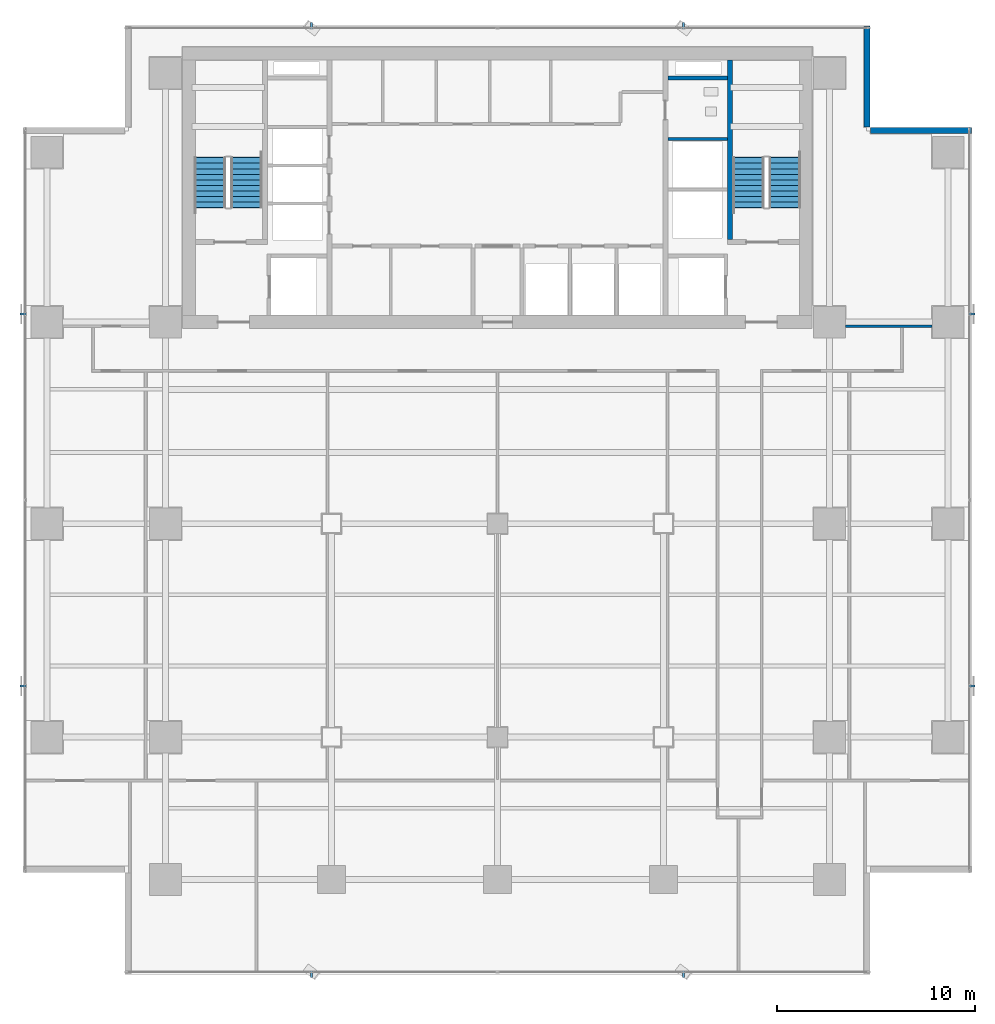
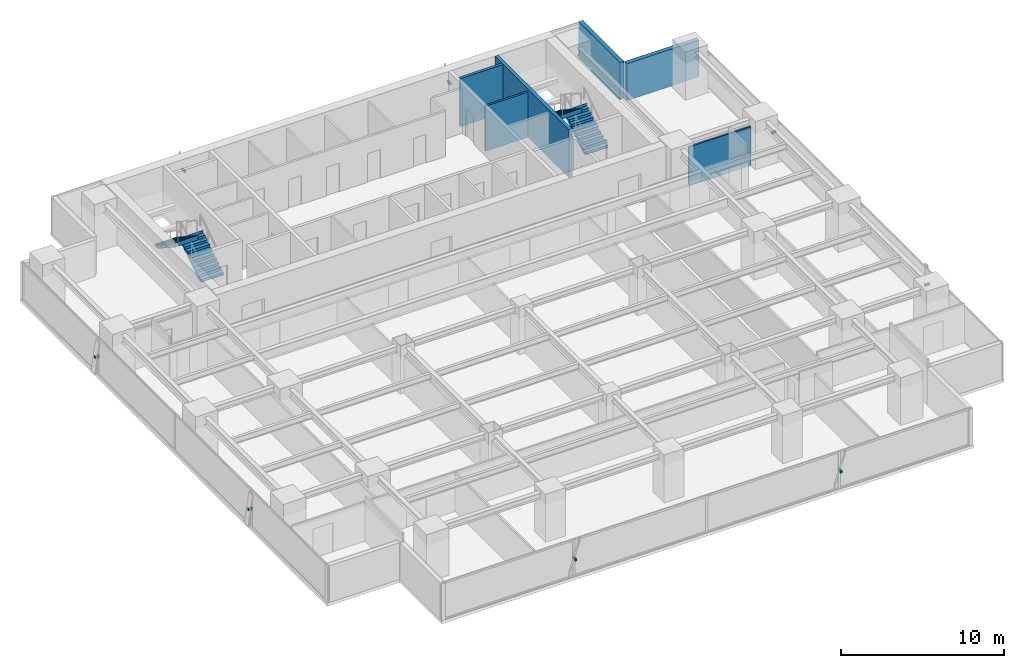
# One storey, part 23 of 28: 8 discrete accessories, 6 walls, 4 stair flights, 2 elements without a shape of their own.
"""IFC4 building model written with IfcOpenShell, lengths in metres."""

from ifc_helpers import new_model, si_unit, direction, frame, frame_2d, origin, origin_2d, place, context, subcontext, project, spatial, polyline, rectangle, outline, extrude, source, transform, mapped, material, layer, layer_set, material_profile, profile_set, type_object, element, aggregate, save


model = new_model("IFC4")

# Units and contexts
model_context = context("Model", 3, precision=1e-05, world=origin(), true_north=direction((0.0, 1.0)))
body_context = subcontext(model_context, "Body", "Model", "MODEL_VIEW")
ifc_project = project(units=[si_unit("LENGTHUNIT", "METRE"), si_unit("AREAUNIT", "SQUARE_METRE"), si_unit("VOLUMEUNIT", "CUBIC_METRE"), si_unit("PLANEANGLEUNIT", "RADIAN"), si_unit("MASSUNIT", "GRAM", prefix="KILO")], contexts=[model_context])

# Site, building, storey
site_placement = place(None, origin())
site = spatial("IfcSite", under=ifc_project, at=site_placement, CompositionType="ELEMENT")
building_placement = place(site_placement, origin())
building = spatial("IfcBuilding", under=site, at=building_placement, Name="Sumidabori Civic Tower", CompositionType="ELEMENT")
storey_placement = place(building_placement, frame((0.0, 0.0, 182.0)))
storey = spatial("IfcBuildingStorey", under=building, at=storey_placement, Name="L47", CompositionType="ELEMENT", Elevation=182.0)

# Walls
ifc_material_1 = material(Name="Concrete C50/60", Category="concrete")
ifc_layer_1 = layer(ifc_material_1, 0.199951171875, Name="Concrete C50/60")
ifc_layer_set_1 = layer_set([ifc_layer_1], Name="Concrete C50/60")
wall_type_1 = type_object("IfcWallType", Name="WL-SHAFT-200", PredefinedType="SHEAR", material=ifc_layer_set_1)
shared_shape_1 = source(origin(), body_context, "Body", "SweptSolid", [
    extrude(rectangle(XDim=3.02001953125, YDim=0.199951171875, at=frame_2d((1.510009765625, 0.0))), origin(), (0.0, 0.0, 1.0), 3.60009765625),
])
wall_1_placement = place(storey_placement, frame((8.625, 22.550048828125, 0.0), z_axis=(0.0, 0.0, 1.0), x_axis=(1.0, 0.0, 0.0)))
element("IfcWall", 1, at=wall_1_placement, inside=storey, type_object=wall_type_1, Name="Core Shear Wall L47 RIS2-S", PredefinedType="SHEAR", context=body_context, shape_type="MappedRepresentation", body=[
    mapped(shared_shape_1, transform((0.0, 0.0, 0.0), x_axis=(1.0, 0.0, 0.0), y_axis=(0.0, 1.0, 0.0), z_axis=(0.0, 0.0, 1.0), scale=1.0)),
])
ifc_layer_2 = layer(ifc_material_1, 0.25, Name="Concrete C50/60")
ifc_layer_set_2 = layer_set([ifc_layer_2], Name="Concrete C50/60")
wall_type_2 = type_object("IfcWallType", Name="WL-SHAFT-250", PredefinedType="SHEAR", material=ifc_layer_set_2)
shared_shape_2 = source(origin(), body_context, "Body", "SweptSolid", [
    extrude(rectangle(XDim=9.10009765625, YDim=0.25, at=frame_2d((4.550048828125, 0.0))), origin(), (0.0, 0.0, 1.0), 3.60009765625),
])
wall_2_placement = place(storey_placement, frame((11.77001953125, 14.375, 0.0), z_axis=(0.0, 0.0, 1.0), x_axis=(0.0, 1.0, 0.0)))
element("IfcWall", 2, at=wall_2_placement, inside=storey, type_object=wall_type_2, Name="Core Shear Wall L47 ST2-W", PredefinedType="SHEAR", context=body_context, shape_type="MappedRepresentation", body=[
    mapped(shared_shape_2, transform((0.0, 0.0, 0.0), x_axis=(1.0, 0.0, 0.0), y_axis=(0.0, 1.0, 0.0), z_axis=(0.0, 0.0, 1.0), scale=1.0)),
])
ifc_material_2 = material(Name="Precast concrete C40/50", Category="concrete")
ifc_layer_3 = layer(ifc_material_2, 0.300048828125, Name="Precast concrete C40/50")
ifc_layer_set_3 = layer_set([ifc_layer_3], Name="Precast concrete C40/50")
wall_type_3 = type_object("IfcWallType", Name="WL-EXT-POD300", PredefinedType="STANDARD", material=ifc_layer_set_3)
shared_shape_3 = source(origin(), body_context, "Body", "SweptSolid", [
    extrude(rectangle(XDim=5.10986328125, YDim=0.300048828125, at=frame_2d((2.554931640625, 0.0))), origin(), (0.0, 0.0, 1.0), 2.760009765625),
])
for number, where, z_axis, x_axis, name in (
    (3, (23.97998046875, 19.89990234375, 0.0), (0.0, 0.0, 1.0), (-1.0, 0.0, 0.0), "Notched Corner Spandrel Band L47-05"),
    (4, (18.699951171875, 20.070068359375, 0.0), (0.0, 0.0, 1.0), (0.0, 1.0, 0.0), "Notched Corner Spandrel Band L47-06"),
):
    element("IfcWall", number, at=place(storey_placement, frame(where, z_axis=z_axis, x_axis=x_axis)), inside=storey, type_object=wall_type_3, Name=name, PredefinedType="STANDARD", context=body_context, shape_type="MappedRepresentation", body=[
        mapped(shared_shape_3, transform((0.0, 0.0, 0.0), x_axis=(1.0, 0.0, 0.0), y_axis=(0.0, 1.0, 0.0), z_axis=(0.0, 0.0, 1.0), scale=1.0)),
    ])
ifc_material_3 = material(Name="Gypsum Plasterboard Acoustic Partition")
ifc_layer_4 = layer(ifc_material_3, 0.14990234375, Name="Gypsum Plasterboard Acoustic Partition")
ifc_layer_set_4 = layer_set([ifc_layer_4], Name="Gypsum Plasterboard Acoustic Partition")
wall_type_4 = type_object("IfcWallType", Name="WL-PART-150", PredefinedType="PARTITIONING", material=ifc_layer_set_4)
shared_shape_4 = source(origin(), body_context, "Body", "SweptSolid", [
    extrude(rectangle(XDim=3.010009765625, YDim=0.14990234375, at=frame_2d((1.5048828125, 0.0))), origin(), (0.0, 0.0, 1.0), 3.3798828125),
])
wall_3_placement = place(storey_placement, frame((8.6298828125, 19.469970703125, 0.0), z_axis=(0.0, 0.0, 1.0), x_axis=(1.0, 0.0, 0.0)))
element("IfcWall", 5, at=wall_3_placement, inside=storey, type_object=wall_type_4, Name="Interior Partition WL:L47:DIV-OBS2", PredefinedType="PARTITIONING", context=body_context, shape_type="MappedRepresentation", body=[
    mapped(shared_shape_4, transform((0.0, 0.0, 0.0), x_axis=(1.0, 0.0, 0.0), y_axis=(0.0, 1.0, 0.0), z_axis=(0.0, 0.0, 1.0), scale=1.0)),
])
ifc_layer_5 = layer(ifc_material_3, 0.1201171875, Name="Gypsum Plasterboard Acoustic Partition")
ifc_layer_set_5 = layer_set([ifc_layer_5], Name="Gypsum Plasterboard Acoustic Partition")
wall_type_5 = type_object("IfcWallType", Name="WL-PART-120", PredefinedType="PARTITIONING", material=ifc_layer_set_5)
shared_shape_5 = source(origin(), body_context, "Body", "SweptSolid", [
    extrude(rectangle(XDim=4.3798828125, YDim=0.1201171875, at=frame_2d((2.18994140625, 0.0))), origin(), (0.0, 0.0, 1.0), 2.9150390625),
])
wall_4_placement = place(storey_placement, frame((17.610107421875, 10.0, 0.0), z_axis=(0.0, 0.0, 1.0), x_axis=(1.0, 0.0, 0.0)))
element("IfcWall", 6, at=wall_4_placement, inside=storey, type_object=wall_type_5, Name="Interior Partition WL:L47:FLK-NE", PredefinedType="PARTITIONING", context=body_context, shape_type="MappedRepresentation", body=[
    mapped(shared_shape_5, transform((0.0, 0.0, 0.0), x_axis=(1.0, 0.0, 0.0), y_axis=(0.0, 1.0, 0.0), z_axis=(0.0, 0.0, 1.0), scale=1.0)),
])

# Stair, stair flights
ifc_material_4 = material(Name="Concrete C40/50", Category="concrete")
stair_type = type_object("IfcStairType", Name="ST-CORE-1600", PredefinedType="HALF_TURN_STAIR", material=ifc_material_4)
stair_1_placement = place(storey_placement, origin())
stair_1 = element("IfcStair", 7, at=stair_1_placement, inside=storey, type_object=stair_type, Name="L47 ST-1", PredefinedType="HALF_TURN_STAIR")
stair_flight_type = type_object("IfcStairFlightType", Name="SF-CORE-1600", PredefinedType="STRAIGHT", material=ifc_material_4)
shared_shape_6 = source(origin(), body_context, "Body", "SweptSolid", [
    extrude(outline(polyline([(-0.02490234375, 0.0), (-0.02490234375, 0.0400390625), (0.0, 0.0400390625), (0.0, 0.179931640625), (0.280029296875, 0.179931640625), (0.280029296875, 0.360107421875), (0.56005859375, 0.360107421875), (0.56005859375, 0.5400390625), (0.840087890625, 0.5400390625), (0.840087890625, 0.719970703125), (1.1201171875, 0.719970703125), (1.1201171875, 0.89990234375), (1.39990234375, 0.89990234375), (1.39990234375, 1.080078125), (1.679931640625, 1.080078125), (1.679931640625, 1.260009765625), (1.9599609375, 1.260009765625), (1.9599609375, 1.43994140625), (2.239990234375, 1.43994140625), (2.239990234375, 1.6201171875), (2.52001953125, 1.6201171875), (2.52001953125, 1.800048828125), (2.544921875, 1.800048828125), (2.544921875, 1.650146484375), (2.52001953125, 1.44189453125), (0.277099609375, 0.0), (-0.02490234375, 0.0)])), frame((0.0, 0.800048828125, 0.0), z_axis=(0.0, -1.0, 0.0), x_axis=(1.0, 0.0, 0.0)), (0.0, 0.0, 1.0), 1.60009765625),
])
stair_flight_1_placement = place(storey_placement, frame((-12.699951171875, 16.0, 0.0), z_axis=(0.0, 0.0, 1.0), x_axis=(0.0, 1.0, 0.0)))
stair_flight_1 = element("IfcStairFlight", 8, at=stair_flight_1_placement, type_object=stair_flight_type, Name="ST-1 flight 1", NumberOfRisers=10, NumberOfTreads=9, PredefinedType="STRAIGHT", RiserHeight=0.18, TreadLength=0.28, context=body_context, shape_type="MappedRepresentation", body=[
    mapped(shared_shape_6, transform((0.0, 0.0, 0.0), x_axis=(1.0, 0.0, 0.0), y_axis=(0.0, 1.0, 0.0), z_axis=(0.0, 0.0, 1.0), scale=1.0)),
])
stair_flight_2_placement = place(storey_placement, frame((-14.5400390625, 18.52001953125, 1.800048828125), z_axis=(0.0, 0.0, 1.0), x_axis=(0.0, -1.0, 0.0)))
stair_flight_2 = element("IfcStairFlight", 9, at=stair_flight_2_placement, type_object=stair_flight_type, Name="ST-1 flight 2", NumberOfRisers=10, NumberOfTreads=9, PredefinedType="STRAIGHT", RiserHeight=0.18, TreadLength=0.28, context=body_context, shape_type="MappedRepresentation", body=[
    mapped(shared_shape_6, transform((0.0, 0.0, 0.0), x_axis=(1.0, 0.0, 0.0), y_axis=(0.0, 1.0, 0.0), z_axis=(0.0, 0.0, 1.0), scale=1.0)),
])
aggregate(stair_1, [stair_flight_1, stair_flight_2])

stair_2_placement = place(storey_placement, origin())
stair_2 = element("IfcStair", 10, at=stair_2_placement, inside=storey, type_object=stair_type, Name="L47 ST-2", PredefinedType="HALF_TURN_STAIR")
stair_flight_3_placement = place(storey_placement, frame((14.5400390625, 16.0, 0.0), z_axis=(0.0, 0.0, 1.0), x_axis=(0.0, 1.0, 0.0)))
stair_flight_3 = element("IfcStairFlight", 11, at=stair_flight_3_placement, type_object=stair_flight_type, Name="ST-2 flight 1", NumberOfRisers=10, NumberOfTreads=9, PredefinedType="STRAIGHT", RiserHeight=0.18, TreadLength=0.28, context=body_context, shape_type="MappedRepresentation", body=[
    mapped(shared_shape_6, transform((0.0, 0.0, 0.0), x_axis=(1.0, 0.0, 0.0), y_axis=(0.0, 1.0, 0.0), z_axis=(0.0, 0.0, 1.0), scale=1.0)),
])
stair_flight_4_placement = place(storey_placement, frame((12.699951171875, 18.52001953125, 1.800048828125), z_axis=(0.0, 0.0, 1.0), x_axis=(0.0, -1.0, 0.0)))
stair_flight_4 = element("IfcStairFlight", 12, at=stair_flight_4_placement, type_object=stair_flight_type, Name="ST-2 flight 2", NumberOfRisers=10, NumberOfTreads=9, PredefinedType="STRAIGHT", RiserHeight=0.18, TreadLength=0.28, context=body_context, shape_type="MappedRepresentation", body=[
    mapped(shared_shape_6, transform((0.0, 0.0, 0.0), x_axis=(1.0, 0.0, 0.0), y_axis=(0.0, 1.0, 0.0), z_axis=(0.0, 0.0, 1.0), scale=1.0)),
])
aggregate(stair_2, [stair_flight_3, stair_flight_4])

# Discrete accessories
ifc_material_5 = material(Name="Stainless Steel Hairline Finish", Category="steel")
ifc_material_profile = material_profile(ifc_material_5, rectangle(XDim=0.1201171875, YDim=0.179931640625, at=origin_2d()), Name="STEEL BRACKET 180x120")
ifc_profile_set = profile_set([ifc_material_profile], Name="Stainless Steel Hairline Finish")
discrete_accessory_type = type_object("IfcDiscreteAccessoryType", Name="AC-BRK-180", PredefinedType="BRACKET", material=ifc_profile_set)
shared_shape_7 = source(origin(), body_context, "Body", "SweptSolid", [
    extrude(rectangle(XDim=0.1201171875, YDim=0.179931640625, at=origin_2d()), origin(), (0.0, 0.0, 1.0), 0.329833984375),
])
for number, where, z_axis, x_axis, name in (
    (13, (23.830078125, -8.2099609375, 1.3701171875), (1.0, 0.0, 0.0), (0.0, 1.0, 0.0), "Bronze Fin Fixing Bracket L47-01"),
    (14, (23.830078125, 10.610107421875, 1.3701171875), (1.0, 0.0, 0.0), (0.0, 1.0, 0.0), "Bronze Fin Fixing Bracket L47-03"),
    (15, (-23.830078125, 10.610107421875, 1.3701171875), (-1.0, 0.0, 0.0), (0.0, -1.0, 0.0), "Bronze Fin Fixing Bracket L47-01"),
    (16, (-23.830078125, -8.2099609375, 1.3701171875), (-1.0, 0.0, 0.0), (0.0, -1.0, 0.0), "Bronze Fin Fixing Bracket L47-03"),
):
    element("IfcDiscreteAccessory", number, at=place(storey_placement, frame(where, z_axis=z_axis, x_axis=x_axis)), inside=storey, type_object=discrete_accessory_type, Name=name, PredefinedType="BRACKET", context=body_context, shape_type="MappedRepresentation", body=[
        mapped(shared_shape_7, transform((0.0, 0.0, 0.0), x_axis=(1.0, 0.0, 0.0), y_axis=(0.0, 1.0, 0.0), z_axis=(0.0, 0.0, 1.0), scale=1.0)),
    ])
shared_shape_8 = source(origin(), body_context, "Body", "SweptSolid", [
    extrude(rectangle(XDim=0.1201171875, YDim=0.179931640625, at=origin_2d()), origin(), (0.0, 0.0, 1.0), 0.330078125),
])
for number, where, z_axis, x_axis, name in (
    (17, (-9.409912109375, -22.6298828125, 1.3701171875), (0.0, -1.0, 0.0), (1.0, 0.0, 0.0), "Bronze Fin Fixing Bracket L47-01"),
    (18, (9.409912109375, -22.6298828125, 1.3701171875), (0.0, -1.0, 0.0), (1.0, 0.0, 0.0), "Bronze Fin Fixing Bracket L47-03"),
    (19, (9.409912109375, 25.030029296875, 1.3701171875), (0.0, 1.0, 0.0), (-1.0, 0.0, 0.0), "Bronze Fin Fixing Bracket L47-01"),
    (20, (-9.409912109375, 25.030029296875, 1.3701171875), (0.0, 1.0, 0.0), (-1.0, 0.0, 0.0), "Bronze Fin Fixing Bracket L47-03"),
):
    element("IfcDiscreteAccessory", number, at=place(storey_placement, frame(where, z_axis=z_axis, x_axis=x_axis)), inside=storey, type_object=discrete_accessory_type, Name=name, PredefinedType="BRACKET", context=body_context, shape_type="MappedRepresentation", body=[
        mapped(shared_shape_8, transform((0.0, 0.0, 0.0), x_axis=(1.0, 0.0, 0.0), y_axis=(0.0, 1.0, 0.0), z_axis=(0.0, 0.0, 1.0), scale=1.0)),
    ])

save(model, "model.ifc")
